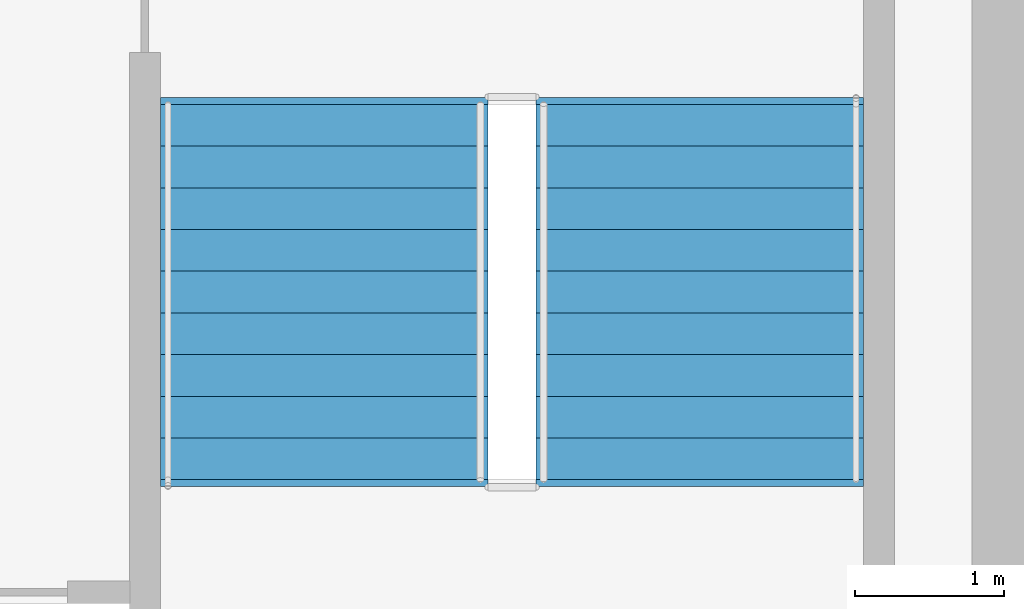
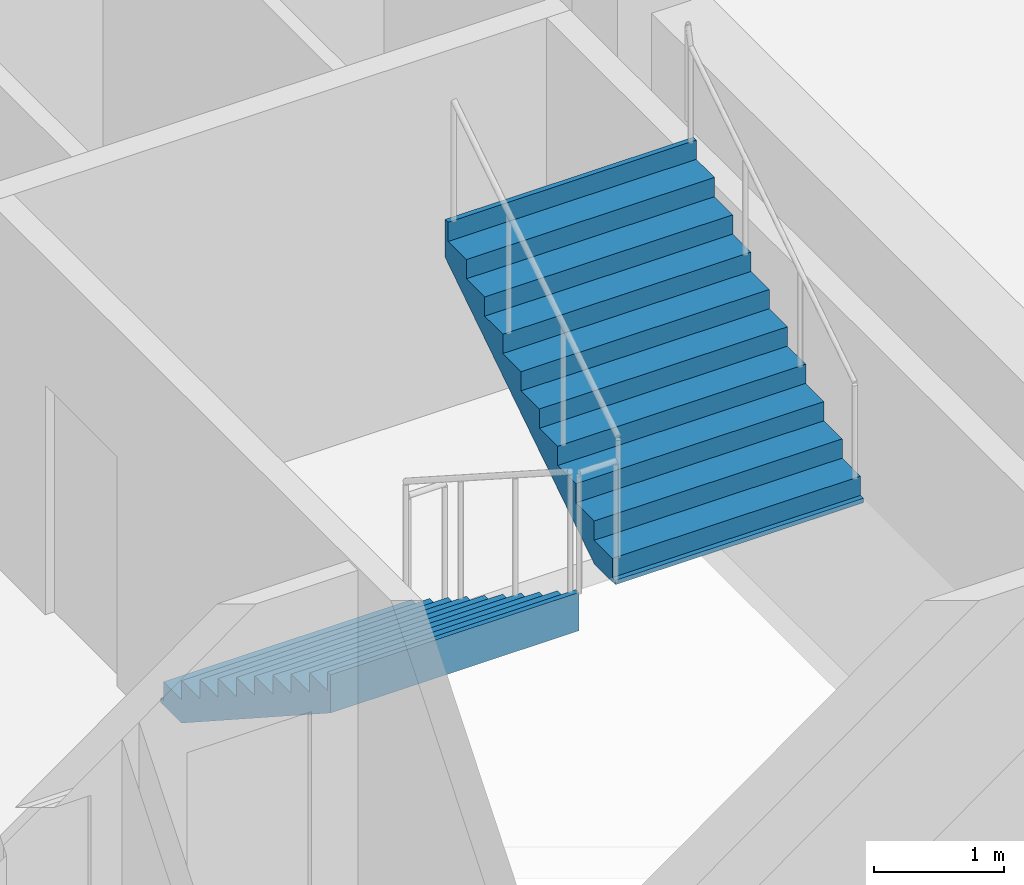
# One storey, part 4 of 6: 2 stair flights, 1 element without a shape of its own.
"""IFC4 building model written with IfcOpenShell, lengths in metres."""

import ifcopenshell
import ifcopenshell.guid

model = None  # the IFC model being written
_history = None  # IfcOwnerHistory: only IFC2X3 demands one
_inside = {}  # id of a spatial element -> (the spatial element, [elements in it])
_under = {}  # id of a project, library or spatial element -> (it, [spatial elements below it])
_declared = {}  # id of a project -> (the project, [libraries it declares])
_typed = {}  # id of a type object -> (the type object, [elements of that type])
_made_of = {}  # id of a material, layer set ... -> (it, [elements and type objects made of it])


def new_model(schema):
    """Start an empty IFC model of exactly this schema.

    Asked for "IFC4X3", IfcOpenShell would pick the latest addendum, in which some entities
    have other attributes; the version numbers below select the first issue.
    IFC2X3 requires an IfcOwnerHistory on every rooted entity: one is made here for all.
    """
    global model, _history
    if schema == "IFC4X3":
        model = ifcopenshell.file(schema_version=(4, 3, 0, 0))
    else:
        model = ifcopenshell.file(schema=schema)
    _inside.clear()
    _under.clear()
    _declared.clear()
    _typed.clear()
    _made_of.clear()
    _history = None
    if model.schema == "IFC2X3":
        org = make("IfcOrganization", Name="unknown")
        user = make(
            "IfcPersonAndOrganization",
            ThePerson=make("IfcPerson", FamilyName="unknown"),
            TheOrganization=org,
        )
        app = make(
            "IfcApplication",
            ApplicationDeveloper=org,
            Version="unknown",
            ApplicationFullName="unknown",
            ApplicationIdentifier="unknown",
        )
        _history = make(
            "IfcOwnerHistory",
            OwningUser=user,
            OwningApplication=app,
            ChangeAction="ADDED",
            CreationDate=0,
        )
    return model


def make(cls, **values):
    """One entity of the class cls with the attributes given. An attribute that is None is left unset."""
    return model.create_entity(
        cls, **{name: value for name, value in values.items() if value is not None}
    )


def rooted(cls, **values):
    """An entity with a GlobalId (a new one), such as an element, a storey or a relation."""
    return make(cls, GlobalId=ifcopenshell.guid.new(), OwnerHistory=_history, **values)


def si_unit(unit_type, name, prefix=None):
    """IfcSIUnit, for example si_unit("LENGTHUNIT", "METRE", prefix="MILLI")."""
    return make("IfcSIUnit", UnitType=unit_type, Prefix=prefix, Name=name)


def assignment(units):
    """IfcUnitAssignment: the units of a project."""
    return None if units is None else make("IfcUnitAssignment", Units=units)


def point(xyz):
    """IfcCartesianPoint."""
    return None if xyz is None else make("IfcCartesianPoint", Coordinates=xyz)


def direction(xyz):
    """IfcDirection."""
    return None if xyz is None else make("IfcDirection", DirectionRatios=xyz)


def frame(location, z_axis=None, x_axis=None):
    """IfcAxis2Placement3D, a coordinate frame: its origin and axes. An axis left out is left unset."""
    return make(
        "IfcAxis2Placement3D",
        Location=point(location),
        Axis=direction(z_axis),
        RefDirection=direction(x_axis),
    )


def origin():
    """The frame at (0, 0, 0) with its axes left unset."""
    return frame((0.0, 0.0, 0.0))


def place(relative_to, where):
    """IfcLocalPlacement: puts the frame where relative to a parent placement (None: the world)."""
    return make(
        "IfcLocalPlacement", PlacementRelTo=relative_to, RelativePlacement=where
    )


def context(
    kind, dimensions, precision=None, world=None, true_north=None, identifier=None
):
    """IfcGeometricRepresentationContext, for example the 3D "Model" context."""
    return make(
        "IfcGeometricRepresentationContext",
        ContextIdentifier=identifier,
        ContextType=kind,
        CoordinateSpaceDimension=dimensions,
        Precision=precision,
        WorldCoordinateSystem=world,
        TrueNorth=true_north,
    )


def subcontext(parent, identifier, kind, view, scale=None):
    """IfcGeometricRepresentationSubContext, for example "Body" below "Model"."""
    return make(
        "IfcGeometricRepresentationSubContext",
        ContextIdentifier=identifier,
        ContextType=kind,
        ParentContext=parent,
        TargetScale=scale,
        TargetView=view,
    )


def project(units=None, contexts=None):
    """IfcProject with its units and contexts."""
    return rooted(
        "IfcProject",
        Name="project",
        RepresentationContexts=contexts,
        UnitsInContext=assignment(units),
    )


def spatial(cls, under=None, at=None, **own):
    """A site, building, storey or space (cls), placed at a placement, below another one or the project."""
    s = rooted(cls, ObjectPlacement=at, **own)
    if under is not None:
        _under.setdefault(under.id(), (under, []))[1].append(s)
    return s


def polyline(points):
    """IfcPolyline through the points."""
    return make("IfcPolyline", Points=[point(p) for p in points])


def outline(outer, holes=None, kind="AREA"):
    """IfcArbitraryClosedProfileDef: a profile drawn as a closed curve; with holes, ...WithVoids."""
    if holes is None:
        return make("IfcArbitraryClosedProfileDef", ProfileType=kind, OuterCurve=outer)
    return make(
        "IfcArbitraryProfileDefWithVoids",
        ProfileType=kind,
        OuterCurve=outer,
        InnerCurves=holes,
    )


def extrude(swept, where, along, depth):
    """IfcExtrudedAreaSolid: the profile swept, set in the frame where, extruded along a direction by depth."""
    return make(
        "IfcExtrudedAreaSolid",
        SweptArea=swept,
        Position=where,
        ExtrudedDirection=direction(along),
        Depth=depth,
    )


def shape(context_of_items, identifier, shape_type, items):
    """IfcShapeRepresentation: the items that make up one representation, for example the "Body"."""
    return make(
        "IfcShapeRepresentation",
        ContextOfItems=context_of_items,
        RepresentationIdentifier=identifier,
        RepresentationType=shape_type,
        Items=items,
    )


def material(Name=None, Category=None):
    """IfcMaterial."""
    return make("IfcMaterial", Name=Name, Category=Category)


def layer(
    of_material, thickness, ventilated=None, Name=None, Category=None, Priority=None
):
    """IfcMaterialLayer: one layer of a wall or slab, of a material (None: an air gap)."""
    return make(
        "IfcMaterialLayer",
        Material=of_material,
        LayerThickness=thickness,
        IsVentilated=ventilated,
        Name=Name,
        Category=Category,
        Priority=Priority,
    )


def layer_set(layers, Name=None):
    """IfcMaterialLayerSet."""
    return make("IfcMaterialLayerSet", MaterialLayers=layers, LayerSetName=Name)


def made_of(thing, what):
    """Note that an element or type object is made of a material, layer set ...; save() writes the relation."""
    if what is not None:
        _made_of.setdefault(what.id(), (what, []))[1].append(thing)
    return thing


def type_object(cls, material=None, **own):
    """A type object (cls), such as IfcWallType, which elements share."""
    return made_of(rooted(cls, **own), material)


def element(
    cls,
    number,
    at=None,
    inside=None,
    cuts=None,
    type_object=None,
    material=None,
    context=None,
    identifier="Body",
    shape_type=None,
    held_by="IfcProductDefinitionShape",
    body=None,
    shapes=None,
    **own,
):
    """One element of the class cls, such as IfcWall. Its Tag is "e" and its number.

    at: its placement. inside: the storey or other place that contains it. cuts: it is an
    opening in that element (IfcRelVoidsElement). A single representation is given by context,
    identifier, shape_type and body (its items); several are given by shapes. held_by: the class
    of the entity that holds the representations. save() writes the other relations.
    """
    e = rooted(cls, Tag="e%d" % number, ObjectPlacement=at, **own)
    if body is not None:
        shapes = [shape(context, identifier, shape_type, body)]
    if shapes is not None:
        e.Representation = make(held_by, Representations=shapes)
    if inside is not None:
        _inside.setdefault(inside.id(), (inside, []))[1].append(e)
    if cuts is not None:
        rooted(
            "IfcRelVoidsElement", RelatingBuildingElement=cuts, RelatedOpeningElement=e
        )
    if type_object is not None:
        _typed.setdefault(type_object.id(), (type_object, []))[1].append(e)
    return made_of(e, material)


def aggregate(whole, parts):
    """IfcRelAggregates: a whole, such as a stair, and the parts it consists of."""
    return rooted("IfcRelAggregates", RelatingObject=whole, RelatedObjects=parts)


def save(model, path):
    """Write the relations noted so far, then the file.

    IfcRelAggregates (storeys below a building ...), IfcRelContainedInSpatialStructure (elements
    in a storey), IfcRelDefinesByType, IfcRelAssociatesMaterial and IfcRelDeclares: one each for
    every whole, place, type object, material and project.
    """
    for whole, parts in _under.values():
        aggregate(whole, parts)
    for where, things in _inside.values():
        rooted(
            "IfcRelContainedInSpatialStructure",
            RelatedElements=things,
            RelatingStructure=where,
        )
    for kind, things in _typed.values():
        rooted("IfcRelDefinesByType", RelatedObjects=things, RelatingType=kind)
    for what, things in _made_of.values():
        rooted("IfcRelAssociatesMaterial", RelatedObjects=things, RelatingMaterial=what)
    for by, libraries in _declared.values():
        rooted("IfcRelDeclares", RelatingContext=by, RelatedDefinitions=libraries)
    model.write(path)


model = new_model("IFC4")

# Units and contexts
model_context = context("Model", 3, precision=1e-05, world=origin(), true_north=direction((0.0, 1.0)))
body_context = subcontext(model_context, "Body", "Model", "MODEL_VIEW")
ifc_project = project(units=[si_unit("LENGTHUNIT", "METRE"), si_unit("AREAUNIT", "SQUARE_METRE"), si_unit("VOLUMEUNIT", "CUBIC_METRE"), si_unit("PLANEANGLEUNIT", "RADIAN"), si_unit("MASSUNIT", "GRAM", prefix="KILO")], contexts=[model_context])

# Site, building, storey
site_placement = place(None, origin())
site = spatial("IfcSite", under=ifc_project, at=site_placement, CompositionType="ELEMENT")
building_placement = place(site_placement, origin())
building = spatial("IfcBuilding", under=site, at=building_placement, Name="Velakula Bourse", CompositionType="ELEMENT")
storey_placement = place(building_placement, frame((0.0, 0.0, 290.550048828125)))
storey = spatial("IfcBuildingStorey", under=building, at=storey_placement, Name="L79", CompositionType="ELEMENT", Elevation=290.550048828125)

# Stair, stair flights
ifc_material = material(Name="Concrete M45 (fck 45 MPa)", Category="concrete")
stair_type = type_object("IfcStairType", Name="STR-DOG-390", PredefinedType="HALF_TURN_STAIR", material=ifc_material)
stair_placement = place(storey_placement, origin())
stair = element("IfcStair", 1, at=stair_placement, inside=storey, type_object=stair_type, Name="L79 East Core Exit Stair ST-E1", PredefinedType="HALF_TURN_STAIR")
ifc_layer = layer(ifc_material, 0.195068359375, Name="Concrete M45 (fck 45 MPa)", Category="concrete")
ifc_layer_set = layer_set([ifc_layer], Name="Concrete M45 (fck 45 MPa)")
stair_flight_type = type_object("IfcStairFlightType", Name="FLT-DOG-390", PredefinedType="STRAIGHT", material=ifc_layer_set)
stair_flight_1_placement = place(storey_placement, frame((14.198974609375, -2.199951171875, 0.0), z_axis=(0.0, 0.0, 1.0), x_axis=(0.0, -1.0, 0.0)))
stair_flight_1 = element("IfcStairFlight", 2, at=stair_flight_1_placement, type_object=stair_flight_type, Name="ST-E1 flight 1", NumberOfRisers=10, NumberOfTreads=9, PredefinedType="STRAIGHT", RiserHeight=0.18, TreadLength=0.28, context=body_context, shape_type="SweptSolid", body=[
    extrude(outline(polyline([(-0.044921875, -0.0400390625), (-0.044921875, -0.036865234375), (-0.044921875, -0.033935546875), (-0.044921875, -0.03076171875), (-0.044921875, -0.027587890625), (-0.044921875, -0.024658203125), (-0.044921875, -0.021484375), (-0.044921875, -0.0185546875), (-0.044921875, -0.015380859375), (-0.044921875, -0.01220703125), (-0.044921875, -0.00927734375), (-0.044921875, -0.006103515625), (-0.044921875, -0.003173828125), (-0.044921875, 0.0), (0.0, 0.0), (0.0, 0.179931640625), (0.280029296875, 0.179931640625), (0.280029296875, 0.360107421875), (0.56005859375, 0.360107421875), (0.56005859375, 0.5400390625), (0.840087890625, 0.5400390625), (0.840087890625, 0.719970703125), (1.1201171875, 0.719970703125), (1.1201171875, 0.89990234375), (1.39990234375, 0.89990234375), (1.39990234375, 1.080078125), (1.679931640625, 1.080078125), (1.679931640625, 1.260009765625), (1.9599609375, 1.260009765625), (1.9599609375, 1.43994140625), (2.239990234375, 1.43994140625), (2.239990234375, 1.6201171875), (2.52001953125, 1.6201171875), (2.52001953125, 1.800048828125), (2.56494140625, 1.800048828125), (2.56494140625, 1.7744140625), (2.56494140625, 1.748779296875), (2.56494140625, 1.72314453125), (2.56494140625, 1.69775390625), (2.56494140625, 1.672119140625), (2.56494140625, 1.646484375), (2.56494140625, 1.620849609375), (2.56494140625, 1.59521484375), (2.56494140625, 1.56982421875), (2.56494140625, 1.544189453125), (2.56494140625, 1.5185546875), (2.56494140625, 1.492919921875), (2.56494140625, 1.46728515625), (2.56494140625, 1.44189453125), (0.277099609375, -0.0400390625), (-0.044921875, -0.0400390625)])), frame((0.0, 1.09912109375, 0.0), z_axis=(0.0, -1.0, 0.0), x_axis=(1.0, 0.0, 0.0)), (0.0, 0.0, 1.0), 2.197998046875),
])
stair_flight_2_placement = place(storey_placement, frame((16.720947265625, -4.719970703125, 1.800048828125), z_axis=(0.0, 0.0, 1.0), x_axis=(0.0, 1.0, 0.0)))
stair_flight_2 = element("IfcStairFlight", 3, at=stair_flight_2_placement, type_object=stair_flight_type, Name="ST-E1 flight 2", NumberOfRisers=10, NumberOfTreads=9, PredefinedType="STRAIGHT", RiserHeight=0.18, TreadLength=0.28, context=body_context, shape_type="SweptSolid", body=[
    extrude(outline(polyline([(-0.044921875, -0.0400390625), (-0.044921875, -0.036865234375), (-0.044921875, -0.033935546875), (-0.044921875, -0.03076171875), (-0.044921875, -0.027587890625), (-0.044921875, -0.024658203125), (-0.044921875, -0.021484375), (-0.044921875, -0.0185546875), (-0.044921875, -0.015380859375), (-0.044921875, -0.01220703125), (-0.044921875, -0.00927734375), (-0.044921875, -0.006103515625), (-0.044921875, -0.003173828125), (-0.044921875, 0.0), (0.0, 0.0), (0.0, 0.179931640625), (0.280029296875, 0.179931640625), (0.280029296875, 0.360107421875), (0.56005859375, 0.360107421875), (0.56005859375, 0.5400390625), (0.840087890625, 0.5400390625), (0.840087890625, 0.719970703125), (1.1201171875, 0.719970703125), (1.1201171875, 0.89990234375), (1.39990234375, 0.89990234375), (1.39990234375, 1.080078125), (1.679931640625, 1.080078125), (1.679931640625, 1.260009765625), (1.9599609375, 1.260009765625), (1.9599609375, 1.43994140625), (2.239990234375, 1.43994140625), (2.239990234375, 1.6201171875), (2.52001953125, 1.6201171875), (2.52001953125, 1.800048828125), (2.56494140625, 1.800048828125), (2.56494140625, 1.7744140625), (2.56494140625, 1.748779296875), (2.56494140625, 1.72314453125), (2.56494140625, 1.69775390625), (2.56494140625, 1.672119140625), (2.56494140625, 1.646484375), (2.56494140625, 1.620849609375), (2.56494140625, 1.59521484375), (2.56494140625, 1.56982421875), (2.56494140625, 1.544189453125), (2.56494140625, 1.5185546875), (2.56494140625, 1.492919921875), (2.56494140625, 1.46728515625), (2.56494140625, 1.44189453125), (0.277099609375, -0.0400390625), (-0.044921875, -0.0400390625)])), frame((0.0, 1.09912109375, 0.0), z_axis=(0.0, -1.0, 0.0), x_axis=(1.0, 0.0, 0.0)), (0.0, 0.0, 1.0), 2.197998046875),
])
aggregate(stair, [stair_flight_1, stair_flight_2])

save(model, "model.ifc")
